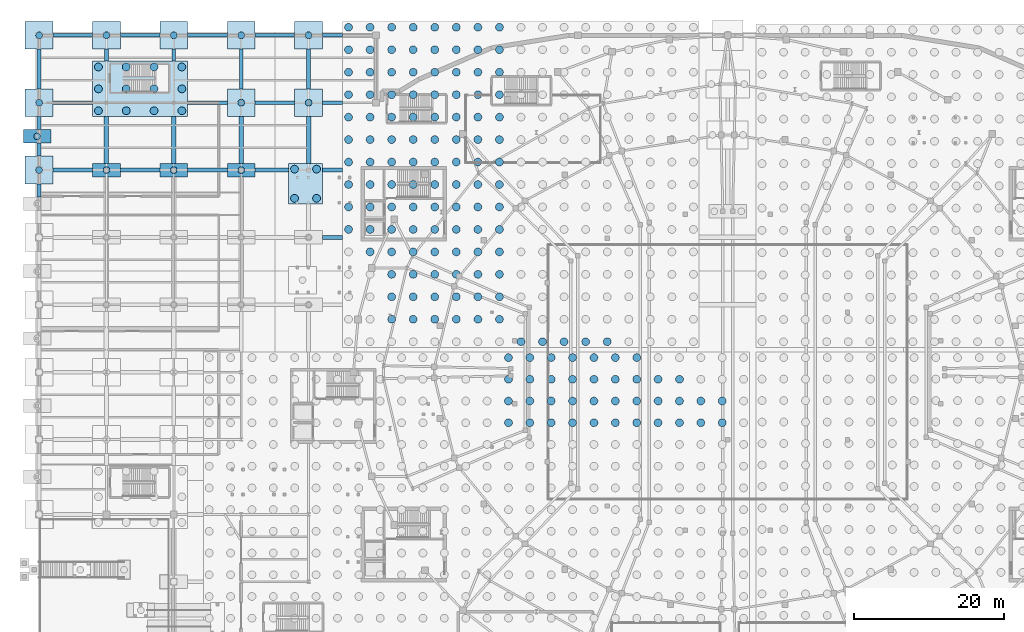
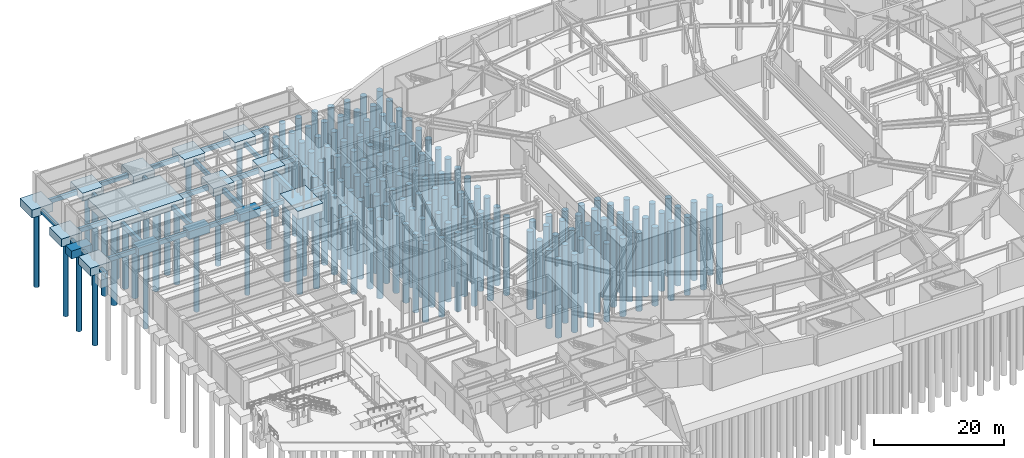
# One storey, part 5 of 56: 177 piles, 42 footings.
"""IFC4 building model written with IfcOpenShell, lengths in metres."""

import ifcopenshell
import ifcopenshell.guid

model = None  # the IFC model being written
_history = None  # IfcOwnerHistory: only IFC2X3 demands one
_inside = {}  # id of a spatial element -> (the spatial element, [elements in it])
_under = {}  # id of a project, library or spatial element -> (it, [spatial elements below it])
_declared = {}  # id of a project -> (the project, [libraries it declares])
_typed = {}  # id of a type object -> (the type object, [elements of that type])
_made_of = {}  # id of a material, layer set ... -> (it, [elements and type objects made of it])


def new_model(schema):
    """Start an empty IFC model of exactly this schema.

    Asked for "IFC4X3", IfcOpenShell would pick the latest addendum, in which some entities
    have other attributes; the version numbers below select the first issue.
    IFC2X3 requires an IfcOwnerHistory on every rooted entity: one is made here for all.
    """
    global model, _history
    if schema == "IFC4X3":
        model = ifcopenshell.file(schema_version=(4, 3, 0, 0))
    else:
        model = ifcopenshell.file(schema=schema)
    _inside.clear()
    _under.clear()
    _declared.clear()
    _typed.clear()
    _made_of.clear()
    _history = None
    if model.schema == "IFC2X3":
        org = make("IfcOrganization", Name="unknown")
        user = make(
            "IfcPersonAndOrganization",
            ThePerson=make("IfcPerson", FamilyName="unknown"),
            TheOrganization=org,
        )
        app = make(
            "IfcApplication",
            ApplicationDeveloper=org,
            Version="unknown",
            ApplicationFullName="unknown",
            ApplicationIdentifier="unknown",
        )
        _history = make(
            "IfcOwnerHistory",
            OwningUser=user,
            OwningApplication=app,
            ChangeAction="ADDED",
            CreationDate=0,
        )
    return model


def make(cls, **values):
    """One entity of the class cls with the attributes given. An attribute that is None is left unset."""
    return model.create_entity(
        cls, **{name: value for name, value in values.items() if value is not None}
    )


def rooted(cls, **values):
    """An entity with a GlobalId (a new one), such as an element, a storey or a relation."""
    return make(cls, GlobalId=ifcopenshell.guid.new(), OwnerHistory=_history, **values)


def si_unit(unit_type, name, prefix=None):
    """IfcSIUnit, for example si_unit("LENGTHUNIT", "METRE", prefix="MILLI")."""
    return make("IfcSIUnit", UnitType=unit_type, Prefix=prefix, Name=name)


def assignment(units):
    """IfcUnitAssignment: the units of a project."""
    return None if units is None else make("IfcUnitAssignment", Units=units)


def point(xyz):
    """IfcCartesianPoint."""
    return None if xyz is None else make("IfcCartesianPoint", Coordinates=xyz)


def direction(xyz):
    """IfcDirection."""
    return None if xyz is None else make("IfcDirection", DirectionRatios=xyz)


def frame(location, z_axis=None, x_axis=None):
    """IfcAxis2Placement3D, a coordinate frame: its origin and axes. An axis left out is left unset."""
    return make(
        "IfcAxis2Placement3D",
        Location=point(location),
        Axis=direction(z_axis),
        RefDirection=direction(x_axis),
    )


def frame_2d(location, x_axis=None):
    """IfcAxis2Placement2D, a coordinate frame in the plane: its origin and x axis."""
    return make(
        "IfcAxis2Placement2D", Location=point(location), RefDirection=direction(x_axis)
    )


def origin():
    """The frame at (0, 0, 0) with its axes left unset."""
    return frame((0.0, 0.0, 0.0))


def origin_2d():
    """The frame at (0, 0) in the plane with its x axis left unset."""
    return frame_2d((0.0, 0.0))


def place(relative_to, where):
    """IfcLocalPlacement: puts the frame where relative to a parent placement (None: the world)."""
    return make(
        "IfcLocalPlacement", PlacementRelTo=relative_to, RelativePlacement=where
    )


def context(
    kind, dimensions, precision=None, world=None, true_north=None, identifier=None
):
    """IfcGeometricRepresentationContext, for example the 3D "Model" context."""
    return make(
        "IfcGeometricRepresentationContext",
        ContextIdentifier=identifier,
        ContextType=kind,
        CoordinateSpaceDimension=dimensions,
        Precision=precision,
        WorldCoordinateSystem=world,
        TrueNorth=true_north,
    )


def subcontext(parent, identifier, kind, view, scale=None):
    """IfcGeometricRepresentationSubContext, for example "Body" below "Model"."""
    return make(
        "IfcGeometricRepresentationSubContext",
        ContextIdentifier=identifier,
        ContextType=kind,
        ParentContext=parent,
        TargetScale=scale,
        TargetView=view,
    )


def project(units=None, contexts=None):
    """IfcProject with its units and contexts."""
    return rooted(
        "IfcProject",
        Name="project",
        RepresentationContexts=contexts,
        UnitsInContext=assignment(units),
    )


def spatial(cls, under=None, at=None, **own):
    """A site, building, storey or space (cls), placed at a placement, below another one or the project."""
    s = rooted(cls, ObjectPlacement=at, **own)
    if under is not None:
        _under.setdefault(under.id(), (under, []))[1].append(s)
    return s


def polyline(points):
    """IfcPolyline through the points."""
    return make("IfcPolyline", Points=[point(p) for p in points])


def profile(cls, at=None, kind="AREA", **sizes):
    """A parametric profile (cls). Its sizes go by their IFC names, for example OverallWidth=200.0."""
    return make(cls, ProfileType=kind, Position=at, **sizes)


def rectangle(**sizes):
    """IfcRectangleProfileDef."""
    return profile("IfcRectangleProfileDef", **sizes)


def circle(**sizes):
    """IfcCircleProfileDef."""
    return profile("IfcCircleProfileDef", **sizes)


def outline(outer, holes=None, kind="AREA"):
    """IfcArbitraryClosedProfileDef: a profile drawn as a closed curve; with holes, ...WithVoids."""
    if holes is None:
        return make("IfcArbitraryClosedProfileDef", ProfileType=kind, OuterCurve=outer)
    return make(
        "IfcArbitraryProfileDefWithVoids",
        ProfileType=kind,
        OuterCurve=outer,
        InnerCurves=holes,
    )


def extrude(swept, where, along, depth):
    """IfcExtrudedAreaSolid: the profile swept, set in the frame where, extruded along a direction by depth."""
    return make(
        "IfcExtrudedAreaSolid",
        SweptArea=swept,
        Position=where,
        ExtrudedDirection=direction(along),
        Depth=depth,
    )


def shape(context_of_items, identifier, shape_type, items):
    """IfcShapeRepresentation: the items that make up one representation, for example the "Body"."""
    return make(
        "IfcShapeRepresentation",
        ContextOfItems=context_of_items,
        RepresentationIdentifier=identifier,
        RepresentationType=shape_type,
        Items=items,
    )


def material(Name=None, Category=None):
    """IfcMaterial."""
    return make("IfcMaterial", Name=Name, Category=Category)


def material_profile(
    of_material, cross_section, Name=None, Category=None, Priority=None
):
    """IfcMaterialProfile: a cross section and its material."""
    return make(
        "IfcMaterialProfile",
        Name=Name,
        Material=of_material,
        Profile=cross_section,
        Priority=Priority,
        Category=Category,
    )


def profile_set(profiles, Name=None, composite=None):
    """IfcMaterialProfileSet."""
    return make(
        "IfcMaterialProfileSet",
        Name=Name,
        MaterialProfiles=profiles,
        CompositeProfile=composite,
    )


def made_of(thing, what):
    """Note that an element or type object is made of a material, layer set ...; save() writes the relation."""
    if what is not None:
        _made_of.setdefault(what.id(), (what, []))[1].append(thing)
    return thing


def type_object(cls, material=None, **own):
    """A type object (cls), such as IfcWallType, which elements share."""
    return made_of(rooted(cls, **own), material)


def element(
    cls,
    number,
    at=None,
    inside=None,
    cuts=None,
    type_object=None,
    material=None,
    context=None,
    identifier="Body",
    shape_type=None,
    held_by="IfcProductDefinitionShape",
    body=None,
    shapes=None,
    **own,
):
    """One element of the class cls, such as IfcWall. Its Tag is "e" and its number.

    at: its placement. inside: the storey or other place that contains it. cuts: it is an
    opening in that element (IfcRelVoidsElement). A single representation is given by context,
    identifier, shape_type and body (its items); several are given by shapes. held_by: the class
    of the entity that holds the representations. save() writes the other relations.
    """
    e = rooted(cls, Tag="e%d" % number, ObjectPlacement=at, **own)
    if body is not None:
        shapes = [shape(context, identifier, shape_type, body)]
    if shapes is not None:
        e.Representation = make(held_by, Representations=shapes)
    if inside is not None:
        _inside.setdefault(inside.id(), (inside, []))[1].append(e)
    if cuts is not None:
        rooted(
            "IfcRelVoidsElement", RelatingBuildingElement=cuts, RelatedOpeningElement=e
        )
    if type_object is not None:
        _typed.setdefault(type_object.id(), (type_object, []))[1].append(e)
    return made_of(e, material)


def aggregate(whole, parts):
    """IfcRelAggregates: a whole, such as a stair, and the parts it consists of."""
    return rooted("IfcRelAggregates", RelatingObject=whole, RelatedObjects=parts)


def save(model, path):
    """Write the relations noted so far, then the file.

    IfcRelAggregates (storeys below a building ...), IfcRelContainedInSpatialStructure (elements
    in a storey), IfcRelDefinesByType, IfcRelAssociatesMaterial and IfcRelDeclares: one each for
    every whole, place, type object, material and project.
    """
    for whole, parts in _under.values():
        aggregate(whole, parts)
    for where, things in _inside.values():
        rooted(
            "IfcRelContainedInSpatialStructure",
            RelatedElements=things,
            RelatingStructure=where,
        )
    for kind, things in _typed.values():
        rooted("IfcRelDefinesByType", RelatedObjects=things, RelatingType=kind)
    for what, things in _made_of.values():
        rooted("IfcRelAssociatesMaterial", RelatedObjects=things, RelatingMaterial=what)
    for by, libraries in _declared.values():
        rooted("IfcRelDeclares", RelatingContext=by, RelatedDefinitions=libraries)
    model.write(path)


model = new_model("IFC4")

# Units and contexts
model_context = context("Model", 3, precision=1e-05, world=origin(), true_north=direction((0.0, 1.0)))
body_context = subcontext(model_context, "Body", "Model", "MODEL_VIEW")
ifc_project = project(units=[si_unit("LENGTHUNIT", "METRE"), si_unit("AREAUNIT", "SQUARE_METRE"), si_unit("VOLUMEUNIT", "CUBIC_METRE"), si_unit("PLANEANGLEUNIT", "RADIAN"), si_unit("MASSUNIT", "GRAM", prefix="KILO")], contexts=[model_context])

# Site, building, storey
site_placement = place(None, origin())
site = spatial("IfcSite", under=ifc_project, at=site_placement, CompositionType="ELEMENT")
building_placement = place(site_placement, origin())
building = spatial("IfcBuilding", under=site, at=building_placement, Name="Glasvene Arena", CompositionType="ELEMENT")
storey_placement = place(building_placement, frame((0.0, 0.0, -5.39990234375)))
storey = spatial("IfcBuildingStorey", under=building, at=storey_placement, Name="B1", CompositionType="ELEMENT", Elevation=-5.39990234375)

# Footings
ifc_material = material(Name="Concrete C40/50", Category="concrete")
footing_type_1 = type_object("IfcFootingType", Name="FT-FB-500x800", PredefinedType="FOOTING_BEAM", material=ifc_material)
for number, where, name in (
    (1, (0.0, 97.27490234375, -1.25), "Ground tie beam 0013"),
    (2, (0.0, 102.72509765625, -1.25), "Ground tie beam 0014"),
    (3, (0.0, 106.27490234375, -1.25), "Ground tie beam 0015"),
):
    element("IfcFooting", number, at=place(storey_placement, frame(where)), inside=storey, type_object=footing_type_1, Name=name, PredefinedType="FOOTING_BEAM", context=body_context, shape_type="SweptSolid", body=[
        extrude(outline(polyline([(-0.25, -0.875), (0.25, -0.875), (0.25, 0.875), (-0.25, 0.875), (-0.25, -0.875)])), origin(), (0.0, 0.0, 1.0), 0.7998046875),
    ])
footing_1_placement = place(storey_placement, frame((0.0, 113.5, -1.25)))
element("IfcFooting", 4, at=footing_1_placement, inside=storey, type_object=footing_type_1, Name="Ground tie beam 0016", PredefinedType="FOOTING_BEAM", context=body_context, shape_type="SweptSolid", body=[
    extrude(outline(polyline([(-0.25, -2.64990234375), (0.25, -2.64990234375), (0.25, 2.64990234375), (-0.25, 2.64990234375), (-0.25, -2.64990234375)])), origin(), (0.0, 0.0, 1.0), 0.7998046875),
])
for number, where, name in (
    (5, (9.0, 115.35009765625, -1.25), "Ground tie beam 0025"),
    (6, (18.0, 115.35009765625, -1.25), "Ground tie beam 0037"),
):
    element("IfcFooting", number, at=place(storey_placement, frame(where)), inside=storey, type_object=footing_type_1, Name=name, PredefinedType="FOOTING_BEAM", context=body_context, shape_type="SweptSolid", body=[
        extrude(outline(polyline([(-0.25, -0.800048828125), (0.25, -0.800048828125), (0.25, 0.7998046875), (-0.25, 0.7998046875), (-0.25, -0.800048828125)])), origin(), (0.0, 0.0, 1.0), 0.7998046875),
    ])
for number, where, name in (
    (7, (27.0, 113.5, -1.25), "Ground tie beam 0043"),
    (8, (36.0, 113.5, -1.25), "Ground tie beam 0049"),
):
    element("IfcFooting", number, at=place(storey_placement, frame(where)), inside=storey, type_object=footing_type_1, Name=name, PredefinedType="FOOTING_BEAM", context=body_context, shape_type="SweptSolid", body=[
        extrude(outline(polyline([(-0.25, -2.64990234375), (0.25, -2.64990234375), (0.25, 2.64990234375), (-0.25, 2.64990234375), (-0.25, -2.64990234375)])), origin(), (0.0, 0.0, 1.0), 0.7998046875),
    ])
footing_2_placement = place(storey_placement, frame((39.2080078125, 91.0, -1.25)))
element("IfcFooting", 9, at=footing_2_placement, inside=storey, type_object=footing_type_1, Name="Ground tie beam 0119", PredefinedType="FOOTING_BEAM", context=body_context, shape_type="SweptSolid", body=[
    extrude(outline(polyline([(-1.35791015625, -0.25), (1.35791015625, -0.25), (1.35791015625, 0.25), (-1.35791015625, 0.25), (-1.35791015625, -0.25)])), origin(), (0.0, 0.0, 1.0), 0.7998046875),
])
for number, where, name in (
    (10, (4.5, 100.0, -1.25), "Ground tie beam 0125"),
    (11, (13.5, 100.0, -1.25), "Ground tie beam 0126"),
    (12, (22.5, 100.0, -1.25), "Ground tie beam 0127"),
):
    element("IfcFooting", number, at=place(storey_placement, frame(where)), inside=storey, type_object=footing_type_1, Name=name, PredefinedType="FOOTING_BEAM", context=body_context, shape_type="SweptSolid", body=[
        extrude(outline(polyline([(-2.64990234375, -0.25), (2.64990234375, -0.25), (2.64990234375, 0.25), (-2.64990234375, 0.25), (-2.64990234375, -0.25)])), origin(), (0.0, 0.0, 1.0), 0.7998046875),
    ])
footing_3_placement = place(storey_placement, frame((31.10009765625, 100.0, -1.25)))
element("IfcFooting", 13, at=footing_3_placement, inside=storey, type_object=footing_type_1, Name="Ground tie beam 0128", PredefinedType="FOOTING_BEAM", context=body_context, shape_type="SweptSolid", body=[
    extrude(outline(polyline([(-2.25, -0.25), (2.25, -0.25), (2.25, 0.25), (-2.25, 0.25), (-2.25, -0.25)])), origin(), (0.0, 0.0, 1.0), 0.7998046875),
])
footing_4_placement = place(storey_placement, frame((39.2080078125, 100.0, -1.25)))
element("IfcFooting", 14, at=footing_4_placement, inside=storey, type_object=footing_type_1, Name="Ground tie beam 0129", PredefinedType="FOOTING_BEAM", context=body_context, shape_type="SweptSolid", body=[
    extrude(outline(polyline([(-1.35791015625, -0.25), (1.35791015625, -0.25), (1.35791015625, 0.25), (-1.35791015625, 0.25), (-1.35791015625, -0.25)])), origin(), (0.0, 0.0, 1.0), 0.7998046875),
])
for number, where, name in (
    (15, (4.5, 109.0, -1.25), "Ground tie beam 0134"),
    (16, (22.5, 109.0, -1.25), "Ground tie beam 0135"),
    (17, (31.5, 109.0, -1.25), "Ground tie beam 0136"),
):
    element("IfcFooting", number, at=place(storey_placement, frame(where)), inside=storey, type_object=footing_type_1, Name=name, PredefinedType="FOOTING_BEAM", context=body_context, shape_type="SweptSolid", body=[
        extrude(outline(polyline([(-2.64990234375, -0.25), (2.64990234375, -0.25), (2.64990234375, 0.25), (-2.64990234375, 0.25), (-2.64990234375, -0.25)])), origin(), (0.0, 0.0, 1.0), 0.7998046875),
    ])
footing_5_placement = place(storey_placement, frame((39.2080078125, 109.0, -1.25)))
element("IfcFooting", 18, at=footing_5_placement, inside=storey, type_object=footing_type_1, Name="Ground tie beam 0137", PredefinedType="FOOTING_BEAM", context=body_context, shape_type="SweptSolid", body=[
    extrude(outline(polyline([(-1.35791015625, -0.25), (1.35791015625, -0.25), (1.35791015625, 0.25), (-1.35791015625, 0.25), (-1.35791015625, -0.25)])), origin(), (0.0, 0.0, 1.0), 0.7998046875),
])
for number, where, name in (
    (19, (4.5, 118.0, -1.25), "Ground tie beam 0142"),
    (20, (13.5, 118.0, -1.25), "Ground tie beam 0143"),
    (21, (22.5, 118.0, -1.25), "Ground tie beam 0144"),
    (22, (31.5, 118.0, -1.25), "Ground tie beam 0145"),
):
    element("IfcFooting", number, at=place(storey_placement, frame(where)), inside=storey, type_object=footing_type_1, Name=name, PredefinedType="FOOTING_BEAM", context=body_context, shape_type="SweptSolid", body=[
        extrude(outline(polyline([(-2.64990234375, -0.25), (2.64990234375, -0.25), (2.64990234375, 0.25), (-2.64990234375, 0.25), (-2.64990234375, -0.25)])), origin(), (0.0, 0.0, 1.0), 0.7998046875),
    ])
footing_6_placement = place(storey_placement, frame((39.2080078125, 118.0, -1.25)))
element("IfcFooting", 23, at=footing_6_placement, inside=storey, type_object=footing_type_1, Name="Ground tie beam 0146", PredefinedType="FOOTING_BEAM", context=body_context, shape_type="SweptSolid", body=[
    extrude(outline(polyline([(-1.35791015625, -0.25), (1.35791015625, -0.25), (1.35791015625, 0.25), (-1.35791015625, 0.25), (-1.35791015625, -0.25)])), origin(), (0.0, 0.0, 1.0), 0.7998046875),
])
footing_type_2 = type_object("IfcFootingType", Name="FT-FB-600x900", PredefinedType="FOOTING_BEAM", material=ifc_material)
for number, where, name in (
    (24, (9.0, 104.02490234375, -1.35009765625), "Ground tie beam 0024"),
    (25, (18.0, 104.02490234375, -1.35009765625), "Ground tie beam 0036"),
    (26, (27.0, 104.02490234375, -1.35009765625), "Ground tie beam 0042"),
    (27, (36.0, 104.02490234375, -1.35009765625), "Ground tie beam 0048"),
):
    element("IfcFooting", number, at=place(storey_placement, frame(where)), inside=storey, type_object=footing_type_2, Name=name, PredefinedType="FOOTING_BEAM", context=body_context, shape_type="SweptSolid", body=[
        extrude(outline(polyline([(-0.300048828125, -3.125), (0.300048828125, -3.125), (0.300048828125, 3.125), (-0.300048828125, 3.125), (-0.300048828125, -3.125)])), origin(), (0.0, 0.0, 1.0), 0.89990234375),
    ])
footing_type_3 = type_object("IfcFootingType", Name="FT-PC-1270x740", PredefinedType="PILE_CAP", material=ifc_material)
footing_7_placement = place(storey_placement, frame((13.5, 110.85009765625, -1.5), z_axis=(0.0, 0.0, 1.0), x_axis=(1.0, 0.0, 0.0)))
element("IfcFooting", 28, at=footing_7_placement, inside=storey, type_object=footing_type_3, Name="Pile cap 087", PredefinedType="PILE_CAP", context=body_context, shape_type="SweptSolid", body=[
    extrude(rectangle(XDim=12.699951171875, YDim=7.39990234375, at=origin_2d()), origin(), (0.0, 0.0, 1.0), 1.5),
])
footing_type_4 = type_object("IfcFootingType", Name="FT-PC-370x180", PredefinedType="PILE_CAP", material=ifc_material)
for number, where, z_axis, x_axis, name in (
    (29, (9.0, 100.0, -1.5), (0.0, 0.0, 1.0), (1.0, 0.0, 0.0), "Pile cap 077"),
    (30, (18.0, 100.0, -1.5), (0.0, 0.0, 1.0), (1.0, 0.0, 0.0), "Pile cap 078"),
    (31, (27.0, 100.0, -1.5), (0.0, 0.0, 1.0), (1.0, 0.0, 0.0), "Pile cap 079"),
    (32, (-0.260009765625, 104.5, -1.5), (0.0, 0.0, 1.0), (1.0, 0.0, 0.0), "Pile cap 085"),
):
    element("IfcFooting", number, at=place(storey_placement, frame(where, z_axis=z_axis, x_axis=x_axis)), inside=storey, type_object=footing_type_4, Name=name, PredefinedType="PILE_CAP", context=body_context, shape_type="SweptSolid", body=[
        extrude(rectangle(XDim=3.699951171875, YDim=1.800048828125, at=origin_2d()), origin(), (0.0, 0.0, 1.0), 1.5),
    ])
footing_type_5 = type_object("IfcFootingType", Name="FT-PC-370x370", PredefinedType="PILE_CAP", material=ifc_material)
for number, where, z_axis, x_axis, name in (
    (33, (0.0, 100.0, -1.5), (0.0, 0.0, 1.0), (1.0, 0.0, 0.0), "Pile cap 076"),
    (34, (0.0, 109.0, -1.5), (0.0, 0.0, 1.0), (1.0, 0.0, 0.0), "Pile cap 086"),
    (35, (27.0, 109.0, -1.5), (0.0, 0.0, 1.0), (1.0, 0.0, 0.0), "Pile cap 088"),
    (36, (36.0, 109.0, -1.5), (0.0, 0.0, 1.0), (1.0, 0.0, 0.0), "Pile cap 089"),
    (37, (0.0, 118.0, -1.5), (0.0, 0.0, 1.0), (1.0, 0.0, 0.0), "Pile cap 096"),
    (38, (9.0, 118.0, -1.5), (0.0, 0.0, 1.0), (1.0, 0.0, 0.0), "Pile cap 097"),
    (39, (18.0, 118.0, -1.5), (0.0, 0.0, 1.0), (1.0, 0.0, 0.0), "Pile cap 098"),
    (40, (27.0, 118.0, -1.5), (0.0, 0.0, 1.0), (1.0, 0.0, 0.0), "Pile cap 099"),
    (41, (36.0, 118.0, -1.5), (0.0, 0.0, 1.0), (1.0, 0.0, 0.0), "Pile cap 100"),
):
    element("IfcFooting", number, at=place(storey_placement, frame(where, z_axis=z_axis, x_axis=x_axis)), inside=storey, type_object=footing_type_5, Name=name, PredefinedType="PILE_CAP", context=body_context, shape_type="SweptSolid", body=[
        extrude(rectangle(XDim=3.699951171875, YDim=3.699951171875, at=origin_2d()), origin(), (0.0, 0.0, 1.0), 1.5),
    ])
footing_type_6 = type_object("IfcFootingType", Name="FT-PC-450x545", PredefinedType="PILE_CAP", material=ifc_material)
footing_8_placement = place(storey_placement, frame((35.60009765625, 98.175048828125, -1.5), z_axis=(0.0, 0.0, 1.0), x_axis=(1.0, 0.0, 0.0)))
element("IfcFooting", 42, at=footing_8_placement, inside=storey, type_object=footing_type_6, Name="Pile cap 075", PredefinedType="PILE_CAP", context=body_context, shape_type="SweptSolid", body=[
    extrude(rectangle(XDim=4.5, YDim=5.449951171875, at=origin_2d()), origin(), (0.0, 0.0, 1.0), 1.5),
])

# Piles
ifc_material_profile_1 = material_profile(ifc_material, circle(Radius=0.52490234375, at=origin_2d()), Name="BORED PILE 1050")
ifc_profile_set_1 = profile_set([ifc_material_profile_1], Name="Concrete C40/50")
pile_type_1 = type_object("IfcPileType", Name="PL-BP1050", PredefinedType="BORED", material=ifc_profile_set_1)
for number, where, z_axis, x_axis, name in (
    (43, (62.70556640625, 66.245361328125, -1.35009765625), (0.0, 0.0, -1.0), (1.0, 0.0, 0.0), "Bored pile 0355"),
    (44, (62.70556640625, 69.146484375, -1.35009765625), (0.0, 0.0, -1.0), (1.0, 0.0, 0.0), "Bored pile 0356"),
    (45, (62.70556640625, 72.0478515625, -1.35009765625), (0.0, 0.0, -1.0), (1.0, 0.0, 0.0), "Bored pile 0357"),
    (46, (62.70556640625, 74.948974609375, -1.35009765625), (0.0, 0.0, -1.0), (1.0, 0.0, 0.0), "Bored pile 0358"),
    (47, (65.561279296875, 66.245361328125, -1.35009765625), (0.0, 0.0, -1.0), (1.0, 0.0, 0.0), "Bored pile 0376"),
    (48, (65.561279296875, 69.146484375, -1.35009765625), (0.0, 0.0, -1.0), (1.0, 0.0, 0.0), "Bored pile 0377"),
    (49, (65.561279296875, 72.0478515625, -1.35009765625), (0.0, 0.0, -1.0), (1.0, 0.0, 0.0), "Bored pile 0378"),
    (50, (65.561279296875, 74.948974609375, -1.35009765625), (0.0, 0.0, -1.0), (1.0, 0.0, 0.0), "Bored pile 0379"),
    (51, (68.417236328125, 66.245361328125, -1.35009765625), (0.0, 0.0, -1.0), (1.0, 0.0, 0.0), "Bored pile 0397"),
    (52, (68.417236328125, 69.146484375, -1.35009765625), (0.0, 0.0, -1.0), (1.0, 0.0, 0.0), "Bored pile 0398"),
    (53, (68.417236328125, 72.0478515625, -1.35009765625), (0.0, 0.0, -1.0), (1.0, 0.0, 0.0), "Bored pile 0399"),
    (54, (68.417236328125, 74.948974609375, -1.35009765625), (0.0, 0.0, -1.0), (1.0, 0.0, 0.0), "Bored pile 0400"),
    (55, (71.27294921875, 66.245361328125, -1.35009765625), (0.0, 0.0, -1.0), (1.0, 0.0, 0.0), "Bored pile 0418"),
    (56, (71.27294921875, 69.146484375, -1.35009765625), (0.0, 0.0, -1.0), (1.0, 0.0, 0.0), "Bored pile 0419"),
    (57, (71.27294921875, 72.0478515625, -1.35009765625), (0.0, 0.0, -1.0), (1.0, 0.0, 0.0), "Bored pile 0420"),
    (58, (71.27294921875, 74.948974609375, -1.35009765625), (0.0, 0.0, -1.0), (1.0, 0.0, 0.0), "Bored pile 0421"),
    (59, (74.128662109375, 66.245361328125, -1.35009765625), (0.0, 0.0, -1.0), (1.0, 0.0, 0.0), "Bored pile 0439"),
    (60, (74.128662109375, 69.146484375, -1.35009765625), (0.0, 0.0, -1.0), (1.0, 0.0, 0.0), "Bored pile 0440"),
    (61, (74.128662109375, 72.0478515625, -1.35009765625), (0.0, 0.0, -1.0), (1.0, 0.0, 0.0), "Bored pile 0441"),
    (62, (74.128662109375, 74.948974609375, -1.35009765625), (0.0, 0.0, -1.0), (1.0, 0.0, 0.0), "Bored pile 0442"),
    (63, (76.984375, 66.245361328125, -1.35009765625), (0.0, 0.0, -1.0), (1.0, 0.0, 0.0), "Bored pile 0460"),
    (64, (76.984375, 69.146484375, -1.35009765625), (0.0, 0.0, -1.0), (1.0, 0.0, 0.0), "Bored pile 0461"),
    (65, (76.984375, 72.0478515625, -1.35009765625), (0.0, 0.0, -1.0), (1.0, 0.0, 0.0), "Bored pile 0462"),
    (66, (76.984375, 74.948974609375, -1.35009765625), (0.0, 0.0, -1.0), (1.0, 0.0, 0.0), "Bored pile 0463"),
    (67, (79.840087890625, 66.245361328125, -1.35009765625), (0.0, 0.0, -1.0), (1.0, 0.0, 0.0), "Bored pile 0481"),
    (68, (79.840087890625, 69.146484375, -1.35009765625), (0.0, 0.0, -1.0), (1.0, 0.0, 0.0), "Bored pile 0482"),
    (69, (79.840087890625, 72.0478515625, -1.35009765625), (0.0, 0.0, -1.0), (1.0, 0.0, 0.0), "Bored pile 0483"),
    (70, (79.840087890625, 74.948974609375, -1.35009765625), (0.0, 0.0, -1.0), (1.0, 0.0, 0.0), "Bored pile 0484"),
    (71, (82.696044921875, 66.245361328125, -1.35009765625), (0.0, 0.0, -1.0), (1.0, 0.0, 0.0), "Bored pile 0502"),
    (72, (82.696044921875, 69.146484375, -1.35009765625), (0.0, 0.0, -1.0), (1.0, 0.0, 0.0), "Bored pile 0503"),
    (73, (82.696044921875, 72.0478515625, -1.35009765625), (0.0, 0.0, -1.0), (1.0, 0.0, 0.0), "Bored pile 0504"),
    (74, (85.5517578125, 66.245361328125, -1.35009765625), (0.0, 0.0, -1.0), (1.0, 0.0, 0.0), "Bored pile 0523"),
    (75, (85.5517578125, 69.146484375, -1.35009765625), (0.0, 0.0, -1.0), (1.0, 0.0, 0.0), "Bored pile 0524"),
    (76, (85.5517578125, 72.0478515625, -1.35009765625), (0.0, 0.0, -1.0), (1.0, 0.0, 0.0), "Bored pile 0525"),
    (77, (88.407470703125, 66.245361328125, -1.35009765625), (0.0, 0.0, -1.0), (1.0, 0.0, 0.0), "Bored pile 0544"),
    (78, (88.407470703125, 69.146484375, -1.35009765625), (0.0, 0.0, -1.0), (1.0, 0.0, 0.0), "Bored pile 0545"),
    (79, (91.26318359375, 66.245361328125, -1.35009765625), (0.0, 0.0, -1.0), (1.0, 0.0, 0.0), "Bored pile 0565"),
    (80, (91.26318359375, 69.146484375, -1.35009765625), (0.0, 0.0, -1.0), (1.0, 0.0, 0.0), "Bored pile 0566"),
    (81, (41.341064453125, 92.071044921875, -1.35009765625), (0.0, 0.0, -1.0), (1.0, 0.0, 0.0), "Bored pile 1092"),
    (82, (41.341064453125, 95.071533203125, -1.35009765625), (0.0, 0.0, -1.0), (1.0, 0.0, 0.0), "Bored pile 1093"),
    (83, (41.341064453125, 98.072021484375, -1.35009765625), (0.0, 0.0, -1.0), (1.0, 0.0, 0.0), "Bored pile 1094"),
    (84, (41.341064453125, 101.072509765625, -1.35009765625), (0.0, 0.0, -1.0), (1.0, 0.0, 0.0), "Bored pile 1095"),
    (85, (41.341064453125, 104.072998046875, -1.35009765625), (0.0, 0.0, -1.0), (1.0, 0.0, 0.0), "Bored pile 1096"),
    (86, (41.341064453125, 107.0732421875, -1.35009765625), (0.0, 0.0, -1.0), (1.0, 0.0, 0.0), "Bored pile 1097"),
    (87, (41.341064453125, 110.07373046875, -1.35009765625), (0.0, 0.0, -1.0), (1.0, 0.0, 0.0), "Bored pile 1098"),
    (88, (41.341064453125, 113.07421875, -1.35009765625), (0.0, 0.0, -1.0), (1.0, 0.0, 0.0), "Bored pile 1099"),
    (89, (41.341064453125, 116.07470703125, -1.35009765625), (0.0, 0.0, -1.0), (1.0, 0.0, 0.0), "Bored pile 1100"),
    (90, (41.341064453125, 119.074951171875, -1.35009765625), (0.0, 0.0, -1.0), (1.0, 0.0, 0.0), "Bored pile 1101"),
    (91, (44.220703125, 89.07080078125, -1.35009765625), (0.0, 0.0, -1.0), (1.0, 0.0, 0.0), "Bored pile 1106"),
    (92, (44.220703125, 92.071044921875, -1.35009765625), (0.0, 0.0, -1.0), (1.0, 0.0, 0.0), "Bored pile 1107"),
    (93, (44.220703125, 95.071533203125, -1.35009765625), (0.0, 0.0, -1.0), (1.0, 0.0, 0.0), "Bored pile 1108"),
    (94, (44.220703125, 98.072021484375, -1.35009765625), (0.0, 0.0, -1.0), (1.0, 0.0, 0.0), "Bored pile 1109"),
    (95, (44.220703125, 101.072509765625, -1.35009765625), (0.0, 0.0, -1.0), (1.0, 0.0, 0.0), "Bored pile 1110"),
    (96, (44.220703125, 104.072998046875, -1.35009765625), (0.0, 0.0, -1.0), (1.0, 0.0, 0.0), "Bored pile 1111"),
    (97, (44.220703125, 107.0732421875, -1.35009765625), (0.0, 0.0, -1.0), (1.0, 0.0, 0.0), "Bored pile 1112"),
    (98, (44.220703125, 110.07373046875, -1.35009765625), (0.0, 0.0, -1.0), (1.0, 0.0, 0.0), "Bored pile 1113"),
    (99, (44.220703125, 113.07421875, -1.35009765625), (0.0, 0.0, -1.0), (1.0, 0.0, 0.0), "Bored pile 1114"),
    (100, (44.220703125, 116.07470703125, -1.35009765625), (0.0, 0.0, -1.0), (1.0, 0.0, 0.0), "Bored pile 1115"),
    (101, (44.220703125, 119.074951171875, -1.35009765625), (0.0, 0.0, -1.0), (1.0, 0.0, 0.0), "Bored pile 1116"),
    (102, (47.1005859375, 80.0693359375, -1.35009765625), (0.0, 0.0, -1.0), (1.0, 0.0, 0.0), "Bored pile 1118"),
    (103, (47.1005859375, 83.06982421875, -1.35009765625), (0.0, 0.0, -1.0), (1.0, 0.0, 0.0), "Bored pile 1119"),
    (104, (47.1005859375, 86.0703125, -1.35009765625), (0.0, 0.0, -1.0), (1.0, 0.0, 0.0), "Bored pile 1120"),
    (105, (47.1005859375, 89.07080078125, -1.35009765625), (0.0, 0.0, -1.0), (1.0, 0.0, 0.0), "Bored pile 1121"),
    (106, (47.1005859375, 92.071044921875, -1.35009765625), (0.0, 0.0, -1.0), (1.0, 0.0, 0.0), "Bored pile 1122"),
    (107, (47.1005859375, 95.071533203125, -1.35009765625), (0.0, 0.0, -1.0), (1.0, 0.0, 0.0), "Bored pile 1123"),
    (108, (47.1005859375, 98.072021484375, -1.35009765625), (0.0, 0.0, -1.0), (1.0, 0.0, 0.0), "Bored pile 1124"),
    (109, (47.1005859375, 101.072509765625, -1.35009765625), (0.0, 0.0, -1.0), (1.0, 0.0, 0.0), "Bored pile 1125"),
    (110, (47.1005859375, 104.072998046875, -1.35009765625), (0.0, 0.0, -1.0), (1.0, 0.0, 0.0), "Bored pile 1126"),
    (111, (47.1005859375, 107.0732421875, -1.35009765625), (0.0, 0.0, -1.0), (1.0, 0.0, 0.0), "Bored pile 1127"),
    (112, (47.1005859375, 110.07373046875, -1.35009765625), (0.0, 0.0, -1.0), (1.0, 0.0, 0.0), "Bored pile 1128"),
    (113, (47.1005859375, 113.07421875, -1.35009765625), (0.0, 0.0, -1.0), (1.0, 0.0, 0.0), "Bored pile 1129"),
    (114, (47.1005859375, 116.07470703125, -1.35009765625), (0.0, 0.0, -1.0), (1.0, 0.0, 0.0), "Bored pile 1130"),
    (115, (47.1005859375, 119.074951171875, -1.35009765625), (0.0, 0.0, -1.0), (1.0, 0.0, 0.0), "Bored pile 1131"),
    (116, (49.980224609375, 80.0693359375, -1.35009765625), (0.0, 0.0, -1.0), (1.0, 0.0, 0.0), "Bored pile 1133"),
    (117, (49.980224609375, 83.06982421875, -1.35009765625), (0.0, 0.0, -1.0), (1.0, 0.0, 0.0), "Bored pile 1134"),
    (118, (49.980224609375, 86.0703125, -1.35009765625), (0.0, 0.0, -1.0), (1.0, 0.0, 0.0), "Bored pile 1135"),
    (119, (49.980224609375, 89.07080078125, -1.35009765625), (0.0, 0.0, -1.0), (1.0, 0.0, 0.0), "Bored pile 1136"),
    (120, (49.980224609375, 92.071044921875, -1.35009765625), (0.0, 0.0, -1.0), (1.0, 0.0, 0.0), "Bored pile 1137"),
    (121, (49.980224609375, 95.071533203125, -1.35009765625), (0.0, 0.0, -1.0), (1.0, 0.0, 0.0), "Bored pile 1138"),
    (122, (49.980224609375, 98.072021484375, -1.35009765625), (0.0, 0.0, -1.0), (1.0, 0.0, 0.0), "Bored pile 1139"),
    (123, (49.980224609375, 101.072509765625, -1.35009765625), (0.0, 0.0, -1.0), (1.0, 0.0, 0.0), "Bored pile 1140"),
    (124, (49.980224609375, 104.072998046875, -1.35009765625), (0.0, 0.0, -1.0), (1.0, 0.0, 0.0), "Bored pile 1141"),
    (125, (49.980224609375, 107.0732421875, -1.35009765625), (0.0, 0.0, -1.0), (1.0, 0.0, 0.0), "Bored pile 1142"),
    (126, (49.980224609375, 110.07373046875, -1.35009765625), (0.0, 0.0, -1.0), (1.0, 0.0, 0.0), "Bored pile 1143"),
    (127, (49.980224609375, 113.07421875, -1.35009765625), (0.0, 0.0, -1.0), (1.0, 0.0, 0.0), "Bored pile 1144"),
    (128, (49.980224609375, 116.07470703125, -1.35009765625), (0.0, 0.0, -1.0), (1.0, 0.0, 0.0), "Bored pile 1145"),
    (129, (49.980224609375, 119.074951171875, -1.35009765625), (0.0, 0.0, -1.0), (1.0, 0.0, 0.0), "Bored pile 1146"),
    (130, (52.860107421875, 80.0693359375, -1.35009765625), (0.0, 0.0, -1.0), (1.0, 0.0, 0.0), "Bored pile 1148"),
    (131, (52.860107421875, 83.06982421875, -1.35009765625), (0.0, 0.0, -1.0), (1.0, 0.0, 0.0), "Bored pile 1149"),
    (132, (52.860107421875, 86.0703125, -1.35009765625), (0.0, 0.0, -1.0), (1.0, 0.0, 0.0), "Bored pile 1150"),
    (133, (52.860107421875, 89.07080078125, -1.35009765625), (0.0, 0.0, -1.0), (1.0, 0.0, 0.0), "Bored pile 1151"),
    (134, (52.860107421875, 92.071044921875, -1.35009765625), (0.0, 0.0, -1.0), (1.0, 0.0, 0.0), "Bored pile 1152"),
    (135, (52.860107421875, 95.071533203125, -1.35009765625), (0.0, 0.0, -1.0), (1.0, 0.0, 0.0), "Bored pile 1153"),
    (136, (52.860107421875, 98.072021484375, -1.35009765625), (0.0, 0.0, -1.0), (1.0, 0.0, 0.0), "Bored pile 1154"),
    (137, (52.860107421875, 101.072509765625, -1.35009765625), (0.0, 0.0, -1.0), (1.0, 0.0, 0.0), "Bored pile 1155"),
    (138, (52.860107421875, 104.072998046875, -1.35009765625), (0.0, 0.0, -1.0), (1.0, 0.0, 0.0), "Bored pile 1156"),
    (139, (52.860107421875, 107.0732421875, -1.35009765625), (0.0, 0.0, -1.0), (1.0, 0.0, 0.0), "Bored pile 1157"),
    (140, (52.860107421875, 110.07373046875, -1.35009765625), (0.0, 0.0, -1.0), (1.0, 0.0, 0.0), "Bored pile 1158"),
    (141, (52.860107421875, 113.07421875, -1.35009765625), (0.0, 0.0, -1.0), (1.0, 0.0, 0.0), "Bored pile 1159"),
    (142, (52.860107421875, 116.07470703125, -1.35009765625), (0.0, 0.0, -1.0), (1.0, 0.0, 0.0), "Bored pile 1160"),
    (143, (52.860107421875, 119.074951171875, -1.35009765625), (0.0, 0.0, -1.0), (1.0, 0.0, 0.0), "Bored pile 1161"),
    (144, (55.73974609375, 80.0693359375, -1.35009765625), (0.0, 0.0, -1.0), (1.0, 0.0, 0.0), "Bored pile 1163"),
    (145, (55.73974609375, 83.06982421875, -1.35009765625), (0.0, 0.0, -1.0), (1.0, 0.0, 0.0), "Bored pile 1164"),
    (146, (55.73974609375, 86.0703125, -1.35009765625), (0.0, 0.0, -1.0), (1.0, 0.0, 0.0), "Bored pile 1165"),
    (147, (55.73974609375, 89.07080078125, -1.35009765625), (0.0, 0.0, -1.0), (1.0, 0.0, 0.0), "Bored pile 1166"),
    (148, (55.73974609375, 92.071044921875, -1.35009765625), (0.0, 0.0, -1.0), (1.0, 0.0, 0.0), "Bored pile 1167"),
    (149, (55.73974609375, 95.071533203125, -1.35009765625), (0.0, 0.0, -1.0), (1.0, 0.0, 0.0), "Bored pile 1168"),
    (150, (55.73974609375, 98.072021484375, -1.35009765625), (0.0, 0.0, -1.0), (1.0, 0.0, 0.0), "Bored pile 1169"),
    (151, (55.73974609375, 101.072509765625, -1.35009765625), (0.0, 0.0, -1.0), (1.0, 0.0, 0.0), "Bored pile 1170"),
    (152, (55.73974609375, 104.072998046875, -1.35009765625), (0.0, 0.0, -1.0), (1.0, 0.0, 0.0), "Bored pile 1171"),
    (153, (55.73974609375, 107.0732421875, -1.35009765625), (0.0, 0.0, -1.0), (1.0, 0.0, 0.0), "Bored pile 1172"),
    (154, (55.73974609375, 110.07373046875, -1.35009765625), (0.0, 0.0, -1.0), (1.0, 0.0, 0.0), "Bored pile 1173"),
    (155, (55.73974609375, 113.07421875, -1.35009765625), (0.0, 0.0, -1.0), (1.0, 0.0, 0.0), "Bored pile 1174"),
    (156, (55.73974609375, 116.07470703125, -1.35009765625), (0.0, 0.0, -1.0), (1.0, 0.0, 0.0), "Bored pile 1175"),
    (157, (55.73974609375, 119.074951171875, -1.35009765625), (0.0, 0.0, -1.0), (1.0, 0.0, 0.0), "Bored pile 1176"),
    (158, (58.619384765625, 80.0693359375, -1.35009765625), (0.0, 0.0, -1.0), (1.0, 0.0, 0.0), "Bored pile 1178"),
    (159, (58.619384765625, 83.06982421875, -1.35009765625), (0.0, 0.0, -1.0), (1.0, 0.0, 0.0), "Bored pile 1179"),
    (160, (58.619384765625, 86.0703125, -1.35009765625), (0.0, 0.0, -1.0), (1.0, 0.0, 0.0), "Bored pile 1180"),
    (161, (58.619384765625, 89.07080078125, -1.35009765625), (0.0, 0.0, -1.0), (1.0, 0.0, 0.0), "Bored pile 1181"),
    (162, (58.619384765625, 92.071044921875, -1.35009765625), (0.0, 0.0, -1.0), (1.0, 0.0, 0.0), "Bored pile 1182"),
    (163, (58.619384765625, 95.071533203125, -1.35009765625), (0.0, 0.0, -1.0), (1.0, 0.0, 0.0), "Bored pile 1183"),
    (164, (58.619384765625, 98.072021484375, -1.35009765625), (0.0, 0.0, -1.0), (1.0, 0.0, 0.0), "Bored pile 1184"),
    (165, (58.619384765625, 101.072509765625, -1.35009765625), (0.0, 0.0, -1.0), (1.0, 0.0, 0.0), "Bored pile 1185"),
    (166, (58.619384765625, 104.072998046875, -1.35009765625), (0.0, 0.0, -1.0), (1.0, 0.0, 0.0), "Bored pile 1186"),
    (167, (58.619384765625, 107.0732421875, -1.35009765625), (0.0, 0.0, -1.0), (1.0, 0.0, 0.0), "Bored pile 1187"),
    (168, (58.619384765625, 110.07373046875, -1.35009765625), (0.0, 0.0, -1.0), (1.0, 0.0, 0.0), "Bored pile 1188"),
    (169, (58.619384765625, 113.07421875, -1.35009765625), (0.0, 0.0, -1.0), (1.0, 0.0, 0.0), "Bored pile 1189"),
    (170, (58.619384765625, 116.07470703125, -1.35009765625), (0.0, 0.0, -1.0), (1.0, 0.0, 0.0), "Bored pile 1190"),
    (171, (58.619384765625, 119.074951171875, -1.35009765625), (0.0, 0.0, -1.0), (1.0, 0.0, 0.0), "Bored pile 1191"),
    (172, (61.499267578125, 80.0693359375, -1.35009765625), (0.0, 0.0, -1.0), (1.0, 0.0, 0.0), "Bored pile 1193"),
    (173, (61.499267578125, 83.06982421875, -1.35009765625), (0.0, 0.0, -1.0), (1.0, 0.0, 0.0), "Bored pile 1194"),
    (174, (61.499267578125, 86.0703125, -1.35009765625), (0.0, 0.0, -1.0), (1.0, 0.0, 0.0), "Bored pile 1195"),
    (175, (61.499267578125, 89.07080078125, -1.35009765625), (0.0, 0.0, -1.0), (1.0, 0.0, 0.0), "Bored pile 1196"),
    (176, (61.499267578125, 92.071044921875, -1.35009765625), (0.0, 0.0, -1.0), (1.0, 0.0, 0.0), "Bored pile 1197"),
    (177, (61.499267578125, 95.071533203125, -1.35009765625), (0.0, 0.0, -1.0), (1.0, 0.0, 0.0), "Bored pile 1198"),
    (178, (61.499267578125, 98.072021484375, -1.35009765625), (0.0, 0.0, -1.0), (1.0, 0.0, 0.0), "Bored pile 1199"),
    (179, (61.499267578125, 101.072509765625, -1.35009765625), (0.0, 0.0, -1.0), (1.0, 0.0, 0.0), "Bored pile 1200"),
    (180, (61.499267578125, 104.072998046875, -1.35009765625), (0.0, 0.0, -1.0), (1.0, 0.0, 0.0), "Bored pile 1201"),
    (181, (61.499267578125, 107.0732421875, -1.35009765625), (0.0, 0.0, -1.0), (1.0, 0.0, 0.0), "Bored pile 1202"),
    (182, (61.499267578125, 110.07373046875, -1.35009765625), (0.0, 0.0, -1.0), (1.0, 0.0, 0.0), "Bored pile 1203"),
    (183, (61.499267578125, 113.07421875, -1.35009765625), (0.0, 0.0, -1.0), (1.0, 0.0, 0.0), "Bored pile 1204"),
    (184, (61.499267578125, 116.07470703125, -1.35009765625), (0.0, 0.0, -1.0), (1.0, 0.0, 0.0), "Bored pile 1205"),
    (185, (61.499267578125, 119.074951171875, -1.35009765625), (0.0, 0.0, -1.0), (1.0, 0.0, 0.0), "Bored pile 1206"),
    (186, (64.37890625, 77.069091796875, -1.35009765625), (0.0, 0.0, -1.0), (1.0, 0.0, 0.0), "Bored pile 1207"),
    (187, (67.2587890625, 77.069091796875, -1.35009765625), (0.0, 0.0, -1.0), (1.0, 0.0, 0.0), "Bored pile 1222"),
    (188, (70.138427734375, 77.069091796875, -1.35009765625), (0.0, 0.0, -1.0), (1.0, 0.0, 0.0), "Bored pile 1237"),
    (189, (73.018310546875, 77.069091796875, -1.35009765625), (0.0, 0.0, -1.0), (1.0, 0.0, 0.0), "Bored pile 1252"),
    (190, (75.89794921875, 77.069091796875, -1.35009765625), (0.0, 0.0, -1.0), (1.0, 0.0, 0.0), "Bored pile 1267"),
    (191, (34.125, 96.22509765625, -1.35009765625), (0.0, 0.0, -1.0), (1.0, 0.0, 0.0), "Bored pile 1632"),
    (192, (34.125, 100.125, -1.35009765625), (0.0, 0.0, -1.0), (1.0, 0.0, 0.0), "Bored pile 1633"),
    (193, (37.074951171875, 96.22509765625, -1.35009765625), (0.0, 0.0, -1.0), (1.0, 0.0, 0.0), "Bored pile 1634"),
    (194, (37.074951171875, 100.125, -1.35009765625), (0.0, 0.0, -1.0), (1.0, 0.0, 0.0), "Bored pile 1635"),
    (195, (7.925048828125, 107.925048828125, -1.35009765625), (0.0, 0.0, -1.0), (1.0, 0.0, 0.0), "Bored pile 1648"),
    (196, (7.925048828125, 110.85009765625, -1.35009765625), (0.0, 0.0, -1.0), (1.0, 0.0, 0.0), "Bored pile 1649"),
    (197, (7.925048828125, 113.77490234375, -1.35009765625), (0.0, 0.0, -1.0), (1.0, 0.0, 0.0), "Bored pile 1650"),
    (198, (11.6416015625, 107.925048828125, -1.35009765625), (0.0, 0.0, -1.0), (1.0, 0.0, 0.0), "Bored pile 1651"),
    (199, (11.6416015625, 110.85009765625, -1.35009765625), (0.0, 0.0, -1.0), (1.0, 0.0, 0.0), "Bored pile 1652"),
    (200, (11.6416015625, 113.77490234375, -1.35009765625), (0.0, 0.0, -1.0), (1.0, 0.0, 0.0), "Bored pile 1653"),
    (201, (15.3583984375, 107.925048828125, -1.35009765625), (0.0, 0.0, -1.0), (1.0, 0.0, 0.0), "Bored pile 1654"),
    (202, (15.3583984375, 110.85009765625, -1.35009765625), (0.0, 0.0, -1.0), (1.0, 0.0, 0.0), "Bored pile 1655"),
    (203, (15.3583984375, 113.77490234375, -1.35009765625), (0.0, 0.0, -1.0), (1.0, 0.0, 0.0), "Bored pile 1656"),
    (204, (19.074951171875, 107.925048828125, -1.35009765625), (0.0, 0.0, -1.0), (1.0, 0.0, 0.0), "Bored pile 1657"),
    (205, (19.074951171875, 110.85009765625, -1.35009765625), (0.0, 0.0, -1.0), (1.0, 0.0, 0.0), "Bored pile 1658"),
    (206, (19.074951171875, 113.77490234375, -1.35009765625), (0.0, 0.0, -1.0), (1.0, 0.0, 0.0), "Bored pile 1659"),
):
    element("IfcPile", number, at=place(storey_placement, frame(where, z_axis=z_axis, x_axis=x_axis)), inside=storey, type_object=pile_type_1, Name=name, PredefinedType="BORED", context=body_context, shape_type="SweptSolid", body=[
        extrude(circle(Radius=0.52490234375, at=origin_2d()), origin(), (0.0, 0.0, 1.0), 14.64990234375),
    ])
ifc_material_profile_2 = material_profile(ifc_material, circle(Radius=0.449951171875, at=origin_2d()), Name="BORED PILE 900")
ifc_profile_set_2 = profile_set([ifc_material_profile_2], Name="Concrete C40/50")
pile_type_2 = type_object("IfcPileType", Name="PL-BP900", PredefinedType="BORED", material=ifc_profile_set_2)
for number, where, z_axis, x_axis, name in (
    (207, (0.0, 100.0, -1.35009765625), (0.0, 0.0, -1.0), (1.0, 0.0, 0.0), "Bored pile 1636"),
    (208, (9.0, 100.0, -1.35009765625), (0.0, 0.0, -1.0), (1.0, 0.0, 0.0), "Bored pile 1637"),
    (209, (18.0, 100.0, -1.35009765625), (0.0, 0.0, -1.0), (1.0, 0.0, 0.0), "Bored pile 1638"),
    (210, (27.0, 100.0, -1.35009765625), (0.0, 0.0, -1.0), (1.0, 0.0, 0.0), "Bored pile 1639"),
    (211, (-0.260009765625, 104.5, -1.35009765625), (0.0, 0.0, -1.0), (1.0, 0.0, 0.0), "Bored pile 1646"),
    (212, (0.0, 109.0, -1.35009765625), (0.0, 0.0, -1.0), (1.0, 0.0, 0.0), "Bored pile 1647"),
    (213, (27.0, 109.0, -1.35009765625), (0.0, 0.0, -1.0), (1.0, 0.0, 0.0), "Bored pile 1660"),
    (214, (36.0, 109.0, -1.35009765625), (0.0, 0.0, -1.0), (1.0, 0.0, 0.0), "Bored pile 1661"),
    (215, (0.0, 118.0, -1.35009765625), (0.0, 0.0, -1.0), (1.0, 0.0, 0.0), "Bored pile 1669"),
    (216, (9.0, 118.0, -1.35009765625), (0.0, 0.0, -1.0), (1.0, 0.0, 0.0), "Bored pile 1670"),
    (217, (18.0, 118.0, -1.35009765625), (0.0, 0.0, -1.0), (1.0, 0.0, 0.0), "Bored pile 1671"),
    (218, (27.0, 118.0, -1.35009765625), (0.0, 0.0, -1.0), (1.0, 0.0, 0.0), "Bored pile 1672"),
    (219, (36.0, 118.0, -1.35009765625), (0.0, 0.0, -1.0), (1.0, 0.0, 0.0), "Bored pile 1673"),
):
    element("IfcPile", number, at=place(storey_placement, frame(where, z_axis=z_axis, x_axis=x_axis)), inside=storey, type_object=pile_type_2, Name=name, PredefinedType="BORED", context=body_context, shape_type="SweptSolid", body=[
        extrude(circle(Radius=0.449951171875, at=origin_2d()), origin(), (0.0, 0.0, 1.0), 14.64990234375),
    ])

save(model, "model.ifc")
